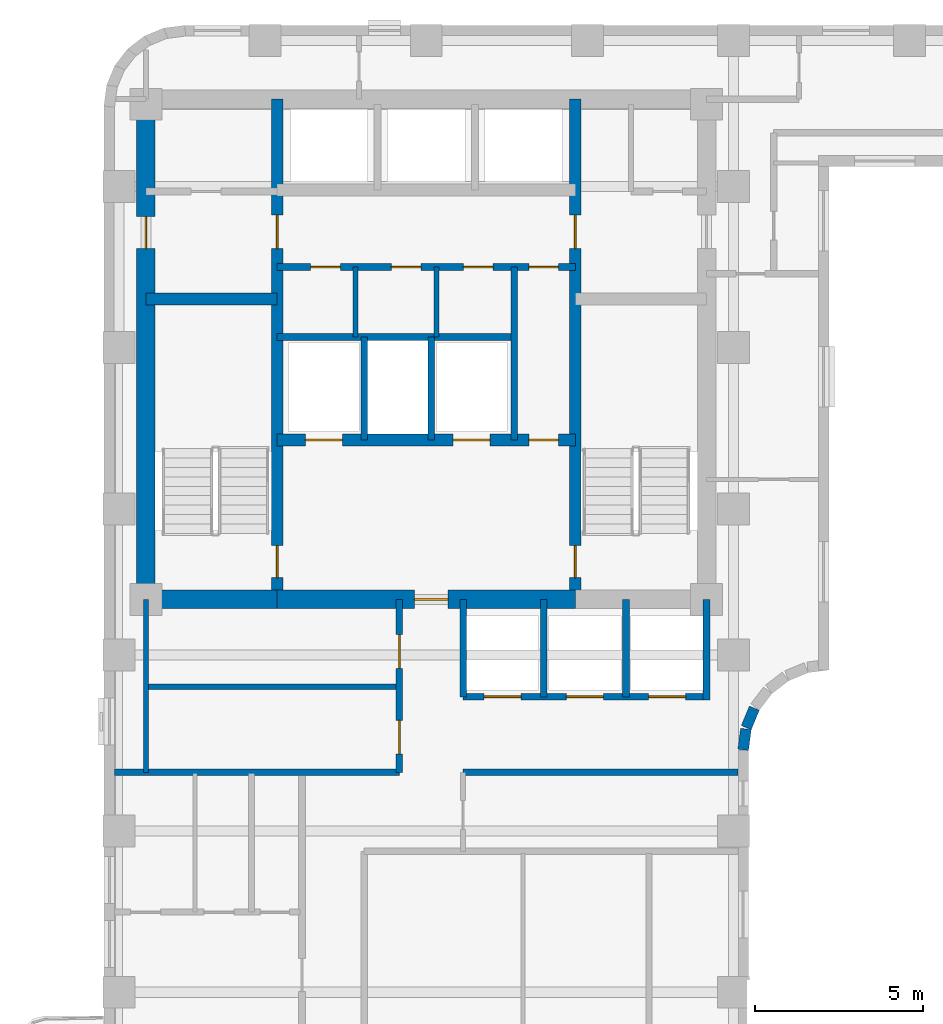
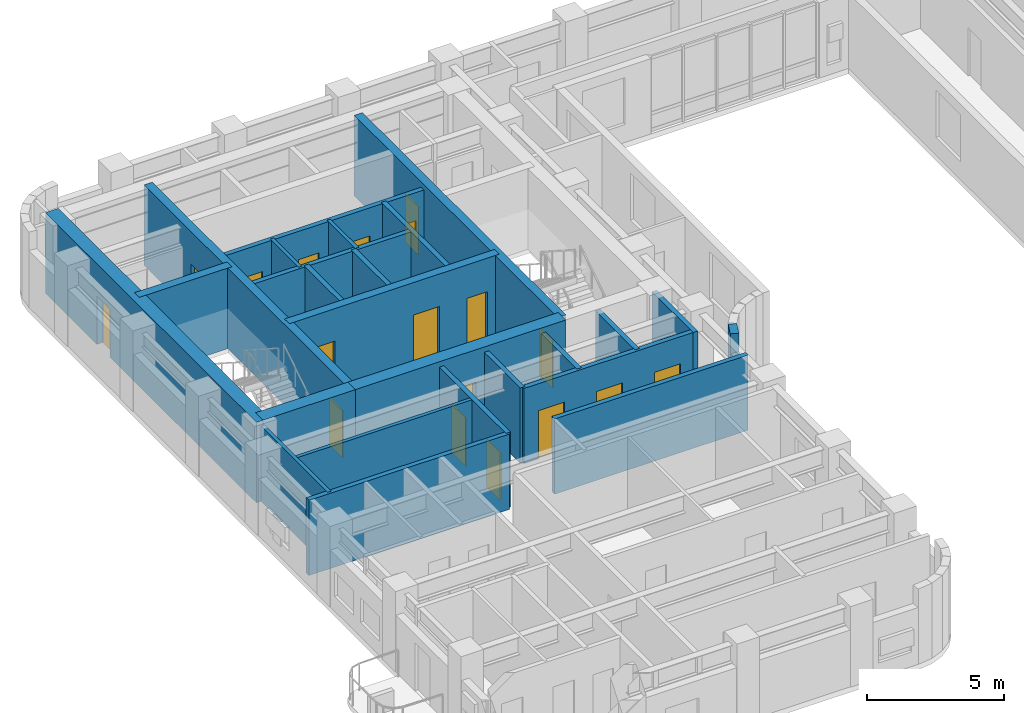
# One storey, part 5 of 11: 26 walls, 18 doors, 18 openings.
"""IFC4 building model written with IfcOpenShell, lengths in metres."""

import ifcopenshell
import ifcopenshell.guid

model = None  # the IFC model being written
_history = None  # IfcOwnerHistory: only IFC2X3 demands one
_inside = {}  # id of a spatial element -> (the spatial element, [elements in it])
_under = {}  # id of a project, library or spatial element -> (it, [spatial elements below it])
_declared = {}  # id of a project -> (the project, [libraries it declares])
_typed = {}  # id of a type object -> (the type object, [elements of that type])
_made_of = {}  # id of a material, layer set ... -> (it, [elements and type objects made of it])


def new_model(schema):
    """Start an empty IFC model of exactly this schema.

    Asked for "IFC4X3", IfcOpenShell would pick the latest addendum, in which some entities
    have other attributes; the version numbers below select the first issue.
    IFC2X3 requires an IfcOwnerHistory on every rooted entity: one is made here for all.
    """
    global model, _history
    if schema == "IFC4X3":
        model = ifcopenshell.file(schema_version=(4, 3, 0, 0))
    else:
        model = ifcopenshell.file(schema=schema)
    _inside.clear()
    _under.clear()
    _declared.clear()
    _typed.clear()
    _made_of.clear()
    _history = None
    if model.schema == "IFC2X3":
        org = make("IfcOrganization", Name="unknown")
        user = make(
            "IfcPersonAndOrganization",
            ThePerson=make("IfcPerson", FamilyName="unknown"),
            TheOrganization=org,
        )
        app = make(
            "IfcApplication",
            ApplicationDeveloper=org,
            Version="unknown",
            ApplicationFullName="unknown",
            ApplicationIdentifier="unknown",
        )
        _history = make(
            "IfcOwnerHistory",
            OwningUser=user,
            OwningApplication=app,
            ChangeAction="ADDED",
            CreationDate=0,
        )
    return model


def make(cls, **values):
    """One entity of the class cls with the attributes given. An attribute that is None is left unset."""
    return model.create_entity(
        cls, **{name: value for name, value in values.items() if value is not None}
    )


def rooted(cls, **values):
    """An entity with a GlobalId (a new one), such as an element, a storey or a relation."""
    return make(cls, GlobalId=ifcopenshell.guid.new(), OwnerHistory=_history, **values)


def si_unit(unit_type, name, prefix=None):
    """IfcSIUnit, for example si_unit("LENGTHUNIT", "METRE", prefix="MILLI")."""
    return make("IfcSIUnit", UnitType=unit_type, Prefix=prefix, Name=name)


def assignment(units):
    """IfcUnitAssignment: the units of a project."""
    return None if units is None else make("IfcUnitAssignment", Units=units)


def point(xyz):
    """IfcCartesianPoint."""
    return None if xyz is None else make("IfcCartesianPoint", Coordinates=xyz)


def direction(xyz):
    """IfcDirection."""
    return None if xyz is None else make("IfcDirection", DirectionRatios=xyz)


def frame(location, z_axis=None, x_axis=None):
    """IfcAxis2Placement3D, a coordinate frame: its origin and axes. An axis left out is left unset."""
    return make(
        "IfcAxis2Placement3D",
        Location=point(location),
        Axis=direction(z_axis),
        RefDirection=direction(x_axis),
    )


def frame_2d(location, x_axis=None):
    """IfcAxis2Placement2D, a coordinate frame in the plane: its origin and x axis."""
    return make(
        "IfcAxis2Placement2D", Location=point(location), RefDirection=direction(x_axis)
    )


def origin():
    """The frame at (0, 0, 0) with its axes left unset."""
    return frame((0.0, 0.0, 0.0))


def place(relative_to, where):
    """IfcLocalPlacement: puts the frame where relative to a parent placement (None: the world)."""
    return make(
        "IfcLocalPlacement", PlacementRelTo=relative_to, RelativePlacement=where
    )


def context(
    kind, dimensions, precision=None, world=None, true_north=None, identifier=None
):
    """IfcGeometricRepresentationContext, for example the 3D "Model" context."""
    return make(
        "IfcGeometricRepresentationContext",
        ContextIdentifier=identifier,
        ContextType=kind,
        CoordinateSpaceDimension=dimensions,
        Precision=precision,
        WorldCoordinateSystem=world,
        TrueNorth=true_north,
    )


def subcontext(parent, identifier, kind, view, scale=None):
    """IfcGeometricRepresentationSubContext, for example "Body" below "Model"."""
    return make(
        "IfcGeometricRepresentationSubContext",
        ContextIdentifier=identifier,
        ContextType=kind,
        ParentContext=parent,
        TargetScale=scale,
        TargetView=view,
    )


def project(units=None, contexts=None):
    """IfcProject with its units and contexts."""
    return rooted(
        "IfcProject",
        Name="project",
        RepresentationContexts=contexts,
        UnitsInContext=assignment(units),
    )


def spatial(cls, under=None, at=None, **own):
    """A site, building, storey or space (cls), placed at a placement, below another one or the project."""
    s = rooted(cls, ObjectPlacement=at, **own)
    if under is not None:
        _under.setdefault(under.id(), (under, []))[1].append(s)
    return s


def profile(cls, at=None, kind="AREA", **sizes):
    """A parametric profile (cls). Its sizes go by their IFC names, for example OverallWidth=200.0."""
    return make(cls, ProfileType=kind, Position=at, **sizes)


def rectangle(**sizes):
    """IfcRectangleProfileDef."""
    return profile("IfcRectangleProfileDef", **sizes)


def extrude(swept, where, along, depth):
    """IfcExtrudedAreaSolid: the profile swept, set in the frame where, extruded along a direction by depth."""
    return make(
        "IfcExtrudedAreaSolid",
        SweptArea=swept,
        Position=where,
        ExtrudedDirection=direction(along),
        Depth=depth,
    )


def shape(context_of_items, identifier, shape_type, items):
    """IfcShapeRepresentation: the items that make up one representation, for example the "Body"."""
    return make(
        "IfcShapeRepresentation",
        ContextOfItems=context_of_items,
        RepresentationIdentifier=identifier,
        RepresentationType=shape_type,
        Items=items,
    )


def material(Name=None, Category=None):
    """IfcMaterial."""
    return make("IfcMaterial", Name=Name, Category=Category)


def layer(
    of_material, thickness, ventilated=None, Name=None, Category=None, Priority=None
):
    """IfcMaterialLayer: one layer of a wall or slab, of a material (None: an air gap)."""
    return make(
        "IfcMaterialLayer",
        Material=of_material,
        LayerThickness=thickness,
        IsVentilated=ventilated,
        Name=Name,
        Category=Category,
        Priority=Priority,
    )


def layer_set(layers, Name=None):
    """IfcMaterialLayerSet."""
    return make("IfcMaterialLayerSet", MaterialLayers=layers, LayerSetName=Name)


def made_of(thing, what):
    """Note that an element or type object is made of a material, layer set ...; save() writes the relation."""
    if what is not None:
        _made_of.setdefault(what.id(), (what, []))[1].append(thing)
    return thing


def type_object(cls, material=None, **own):
    """A type object (cls), such as IfcWallType, which elements share."""
    return made_of(rooted(cls, **own), material)


def element(
    cls,
    number,
    at=None,
    inside=None,
    cuts=None,
    type_object=None,
    material=None,
    context=None,
    identifier="Body",
    shape_type=None,
    held_by="IfcProductDefinitionShape",
    body=None,
    shapes=None,
    **own,
):
    """One element of the class cls, such as IfcWall. Its Tag is "e" and its number.

    at: its placement. inside: the storey or other place that contains it. cuts: it is an
    opening in that element (IfcRelVoidsElement). A single representation is given by context,
    identifier, shape_type and body (its items); several are given by shapes. held_by: the class
    of the entity that holds the representations. save() writes the other relations.
    """
    e = rooted(cls, Tag="e%d" % number, ObjectPlacement=at, **own)
    if body is not None:
        shapes = [shape(context, identifier, shape_type, body)]
    if shapes is not None:
        e.Representation = make(held_by, Representations=shapes)
    if inside is not None:
        _inside.setdefault(inside.id(), (inside, []))[1].append(e)
    if cuts is not None:
        rooted(
            "IfcRelVoidsElement", RelatingBuildingElement=cuts, RelatedOpeningElement=e
        )
    if type_object is not None:
        _typed.setdefault(type_object.id(), (type_object, []))[1].append(e)
    return made_of(e, material)


def fill(opening, filler):
    """IfcRelFillsElement: the door or window that sits in an opening."""
    return rooted(
        "IfcRelFillsElement",
        RelatingOpeningElement=opening,
        RelatedBuildingElement=filler,
    )


def aggregate(whole, parts):
    """IfcRelAggregates: a whole, such as a stair, and the parts it consists of."""
    return rooted("IfcRelAggregates", RelatingObject=whole, RelatedObjects=parts)


def save(model, path):
    """Write the relations noted so far, then the file.

    IfcRelAggregates (storeys below a building ...), IfcRelContainedInSpatialStructure (elements
    in a storey), IfcRelDefinesByType, IfcRelAssociatesMaterial and IfcRelDeclares: one each for
    every whole, place, type object, material and project.
    """
    for whole, parts in _under.values():
        aggregate(whole, parts)
    for where, things in _inside.values():
        rooted(
            "IfcRelContainedInSpatialStructure",
            RelatedElements=things,
            RelatingStructure=where,
        )
    for kind, things in _typed.values():
        rooted("IfcRelDefinesByType", RelatedObjects=things, RelatingType=kind)
    for what, things in _made_of.values():
        rooted("IfcRelAssociatesMaterial", RelatedObjects=things, RelatingMaterial=what)
    for by, libraries in _declared.values():
        rooted("IfcRelDeclares", RelatingContext=by, RelatedDefinitions=libraries)
    model.write(path)


model = new_model("IFC4")

# Units and contexts
model_context = context("Model", 3, precision=1e-05, world=origin(), true_north=direction((0.0, 1.0)))
body_context = subcontext(model_context, "Body", "Model", "MODEL_VIEW")
ifc_project = project(units=[si_unit("LENGTHUNIT", "METRE"), si_unit("AREAUNIT", "SQUARE_METRE"), si_unit("VOLUMEUNIT", "CUBIC_METRE"), si_unit("PLANEANGLEUNIT", "RADIAN"), si_unit("MASSUNIT", "GRAM", prefix="KILO")], contexts=[model_context])

# Site, building, storey
site_placement = place(None, origin())
site = spatial("IfcSite", under=ifc_project, at=site_placement, CompositionType="ELEMENT")
building_placement = place(site_placement, origin())
building = spatial("IfcBuilding", under=site, at=building_placement, Name="Orvandelia Arch Residences", CompositionType="ELEMENT")
storey_placement = place(building_placement, frame((0.0, 0.0, 175.60009765625)))
storey = spatial("IfcBuildingStorey", under=building, at=storey_placement, Name="L46", CompositionType="ELEMENT", Elevation=175.60009765625)

# Wall, openings, doors
ifc_material_1 = material(Name="Concrete C50/60", Category="concrete")
ifc_layer_1 = layer(ifc_material_1, 0.35009765625, Name="Concrete C50/60", Category="concrete")
ifc_layer_set_1 = layer_set([ifc_layer_1], Name="Concrete C50/60")
wall_type_1 = type_object("IfcWallType", Name="WL-CORE-350", PredefinedType="SHEAR", material=ifc_layer_set_1)
wall_1_placement = place(storey_placement, frame((9.9599609375, 30.89990234375, 0.0), z_axis=(0.0, 0.0, 1.0), x_axis=(0.0, 1.0, 0.0)))
wall_1 = element("IfcWall", 1, at=wall_1_placement, inside=storey, type_object=wall_type_1, Name="Core Shear Wall L46-WEB1", PredefinedType="SHEAR", context=body_context, shape_type="SweptSolid", body=[
    extrude(rectangle(XDim=14.900146484375, YDim=0.35009765625, at=frame_2d((7.4501953125, 0.0))), origin(), (0.0, 0.0, 1.0), 3.599853515625),
])
opening_1_placement = place(wall_1_placement, frame((0.64990234375, 0.0, 0.0)))
opening_1 = element("IfcOpeningElement", 2, at=opening_1_placement, cuts=wall_1, Name="Opening D7", PredefinedType="OPENING", context=body_context, shape_type="SweptSolid", body=[
    extrude(rectangle(XDim=0.949951171875, YDim=2.10009765625, at=frame_2d((0.47509765625, 1.050048828125))), frame((0.0, 0.18505859375, 0.0), z_axis=(0.0, -1.0, 0.0), x_axis=(1.0, 0.0, 0.0)), (0.0, 0.0, 1.0), 0.3701171875),
])
opening_2_placement = place(wall_1_placement, frame((10.449951171875, 0.0, 0.0)))
opening_2 = element("IfcOpeningElement", 3, at=opening_2_placement, cuts=wall_1, Name="Opening D6", PredefinedType="OPENING", context=body_context, shape_type="SweptSolid", body=[
    extrude(rectangle(XDim=1.0, YDim=2.14990234375, at=frame_2d((0.5, 1.074951171875))), frame((0.0, 0.18505859375, 0.0), z_axis=(0.0, -1.0, 0.0), x_axis=(1.0, 0.0, 0.0)), (0.0, 0.0, 1.0), 0.3701171875),
])
ifc_material_2 = material(Name="Smokeproof Painted Steel Fire Door", Category="steel")
door_type_1 = type_object("IfcDoorType", Name="DR-FD60-1000", OperationType="NOTDEFINED", PredefinedType="DOOR", material=ifc_material_2)
door_1_placement = place(opening_2_placement, origin())
door_1 = element("IfcDoor", 4, at=door_1_placement, inside=storey, type_object=door_type_1, Name="High-Rise Lift Hall West Vestibule Door L46", OperationType="SINGLE_SWING_LEFT", OverallHeight=2.14990234375, OverallWidth=1.0, PredefinedType="DOOR", context=body_context, shape_type="SweptSolid", body=[
    extrude(rectangle(XDim=1.0, YDim=2.14990234375, at=frame_2d((0.5, 1.074951171875))), frame((0.0, 0.02490234375, 0.0), z_axis=(0.0, -1.0, 0.0), x_axis=(1.0, 0.0, 0.0)), (0.0, 0.0, 1.0), 0.050048828125),
])
fill(opening_2, door_1)
ifc_material_3 = material(Name="Pressurised Stairwell Fire Door")
door_type_2 = type_object("IfcDoorType", Name="DR-STAIR-950", OperationType="NOTDEFINED", PredefinedType="DOOR", material=ifc_material_3)
door_2_placement = place(opening_1_placement, origin())
door_2 = element("IfcDoor", 5, at=door_2_placement, inside=storey, type_object=door_type_2, Name="Stairwell ST-1 Fire Door L46", OperationType="SINGLE_SWING_LEFT", OverallHeight=2.10009765625, OverallWidth=0.949951171875, PredefinedType="DOOR", context=body_context, shape_type="SweptSolid", body=[
    extrude(rectangle(XDim=0.949951171875, YDim=2.10009765625, at=frame_2d((0.47509765625, 1.050048828125))), frame((0.0, 0.02490234375, 0.0), z_axis=(0.0, -1.0, 0.0), x_axis=(1.0, 0.0, 0.0)), (0.0, 0.0, 1.0), 0.050048828125),
])
fill(opening_1, door_2)

wall_2_placement = place(storey_placement, frame((18.840087890625, 30.89990234375, 0.0), z_axis=(0.0, 0.0, 1.0), x_axis=(0.0, 1.0, 0.0)))
wall_2 = element("IfcWall", 6, at=wall_2_placement, inside=storey, type_object=wall_type_1, Name="Core Shear Wall L46-WEB2", PredefinedType="SHEAR", context=body_context, shape_type="SweptSolid", body=[
    extrude(rectangle(XDim=14.900146484375, YDim=0.35009765625, at=frame_2d((7.4501953125, 0.0))), origin(), (0.0, 0.0, 1.0), 3.599853515625),
])
opening_3_placement = place(wall_2_placement, frame((0.64990234375, 0.0, 0.0)))
opening_3 = element("IfcOpeningElement", 7, at=opening_3_placement, cuts=wall_2, Name="Opening D7", PredefinedType="OPENING", context=body_context, shape_type="SweptSolid", body=[
    extrude(rectangle(XDim=0.949951171875, YDim=2.10009765625, at=frame_2d((0.47509765625, 1.050048828125))), frame((0.0, 0.18505859375, 0.0), z_axis=(0.0, -1.0, 0.0), x_axis=(1.0, 0.0, 0.0)), (0.0, 0.0, 1.0), 0.3701171875),
])
opening_4_placement = place(wall_2_placement, frame((10.449951171875, 0.0, 0.0)))
opening_4 = element("IfcOpeningElement", 8, at=opening_4_placement, cuts=wall_2, Name="Opening D6", PredefinedType="OPENING", context=body_context, shape_type="SweptSolid", body=[
    extrude(rectangle(XDim=1.0, YDim=2.14990234375, at=frame_2d((0.5, 1.074951171875))), frame((0.0, 0.18505859375, 0.0), z_axis=(0.0, -1.0, 0.0), x_axis=(1.0, 0.0, 0.0)), (0.0, 0.0, 1.0), 0.3701171875),
])
door_3_placement = place(opening_4_placement, origin())
door_3 = element("IfcDoor", 9, at=door_3_placement, inside=storey, type_object=door_type_1, Name="High-Rise Lift Hall East Vestibule Door L46", OperationType="SINGLE_SWING_RIGHT", OverallHeight=2.14990234375, OverallWidth=1.0, PredefinedType="DOOR", context=body_context, shape_type="SweptSolid", body=[
    extrude(rectangle(XDim=1.0, YDim=2.14990234375, at=frame_2d((0.5, 1.074951171875))), frame((0.0, 0.02490234375, 0.0), z_axis=(0.0, -1.0, 0.0), x_axis=(1.0, 0.0, 0.0)), (0.0, 0.0, 1.0), 0.050048828125),
])
fill(opening_4, door_3)
door_4_placement = place(opening_3_placement, origin())
door_4 = element("IfcDoor", 10, at=door_4_placement, inside=storey, type_object=door_type_2, Name="Stairwell ST-2 Fire Door L46", OperationType="SINGLE_SWING_RIGHT", OverallHeight=2.10009765625, OverallWidth=0.949951171875, PredefinedType="DOOR", context=body_context, shape_type="SweptSolid", body=[
    extrude(rectangle(XDim=0.949951171875, YDim=2.10009765625, at=frame_2d((0.47509765625, 1.050048828125))), frame((0.0, 0.02490234375, 0.0), z_axis=(0.0, -1.0, 0.0), x_axis=(1.0, 0.0, 0.0)), (0.0, 0.0, 1.0), 0.050048828125),
])
fill(opening_3, door_4)

# Wall
wall_3_placement = place(storey_placement, frame((6.050048828125, 39.85009765625, 0.0), z_axis=(0.0, 0.0, 1.0), x_axis=(1.0, 0.0, 0.0)))
element("IfcWall", 11, at=wall_3_placement, inside=storey, type_object=wall_type_1, Name="Core Shear Wall L46-HZ1", PredefinedType="SHEAR", context=body_context, shape_type="SweptSolid", body=[
    extrude(rectangle(XDim=3.909912109375, YDim=0.35009765625, at=frame_2d((1.955078125, 0.0))), origin(), (0.0, 0.0, 1.0), 3.599853515625),
])

# Wall, openings, doors
wall_4_placement = place(storey_placement, frame((9.9599609375, 35.64990234375, 0.0), z_axis=(0.0, 0.0, 1.0), x_axis=(1.0, 0.0, 0.0)))
wall_4 = element("IfcWall", 12, at=wall_4_placement, inside=storey, type_object=wall_type_1, Name="Core Shear Wall L46-HZ3", PredefinedType="SHEAR", context=body_context, shape_type="SweptSolid", body=[
    extrude(rectangle(XDim=8.880126953125, YDim=0.35009765625, at=frame_2d((4.43994140625, 0.0))), origin(), (0.0, 0.0, 1.0), 3.599853515625),
])
opening_5_placement = place(wall_4_placement, frame((0.840087890625, 0.0, 0.0)))
opening_5 = element("IfcOpeningElement", 13, at=opening_5_placement, cuts=wall_4, Name="Opening FLD", PredefinedType="OPENING", context=body_context, shape_type="SweptSolid", body=[
    extrude(rectangle(XDim=1.10009765625, YDim=2.14990234375, at=frame_2d((0.550048828125, 1.074951171875))), frame((0.0, 0.18505859375, 0.0), z_axis=(0.0, -1.0, 0.0), x_axis=(1.0, 0.0, 0.0)), (0.0, 0.0, 1.0), 0.3701171875),
])
opening_6_placement = place(wall_4_placement, frame((5.239990234375, 0.0, 0.0)))
opening_6 = element("IfcOpeningElement", 14, at=opening_6_placement, cuts=wall_4, Name="Opening FLD", PredefinedType="OPENING", context=body_context, shape_type="SweptSolid", body=[
    extrude(rectangle(XDim=1.10009765625, YDim=2.14990234375, at=frame_2d((0.550048828125, 1.074951171875))), frame((0.0, 0.18505859375, 0.0), z_axis=(0.0, -1.0, 0.0), x_axis=(1.0, 0.0, 0.0)), (0.0, 0.0, 1.0), 0.3701171875),
])
opening_7_placement = place(wall_4_placement, frame((7.5, 0.0, 0.0)))
opening_7 = element("IfcOpeningElement", 15, at=opening_7_placement, cuts=wall_4, Name="Opening D5", PredefinedType="OPENING", context=body_context, shape_type="SweptSolid", body=[
    extrude(rectangle(XDim=0.8798828125, YDim=2.10009765625, at=frame_2d((0.43994140625, 1.050048828125))), frame((0.0, 0.18505859375, 0.0), z_axis=(0.0, -1.0, 0.0), x_axis=(1.0, 0.0, 0.0)), (0.0, 0.0, 1.0), 0.3701171875),
])
ifc_material_4 = material(Name="Firefighting Lift Stainless Sliding Door")
door_type_3 = type_object("IfcDoorType", Name="DR-FLFT-1100", OperationType="NOTDEFINED", PredefinedType="DOOR", material=ifc_material_4)
door_5_placement = place(opening_5_placement, origin())
door_5 = element("IfcDoor", 16, at=door_5_placement, inside=storey, type_object=door_type_3, Name="Firefighting Lift Landing Door FLD-FL1-L46", OperationType="SLIDING_TO_LEFT", OverallHeight=2.14990234375, OverallWidth=1.10009765625, PredefinedType="DOOR", context=body_context, shape_type="SweptSolid", body=[
    extrude(rectangle(XDim=1.10009765625, YDim=2.14990234375, at=frame_2d((0.550048828125, 1.074951171875))), frame((0.0, 0.02490234375, 0.0), z_axis=(0.0, -1.0, 0.0), x_axis=(1.0, 0.0, 0.0)), (0.0, 0.0, 1.0), 0.050048828125),
])
fill(opening_5, door_5)
door_6_placement = place(opening_6_placement, origin())
door_6 = element("IfcDoor", 17, at=door_6_placement, inside=storey, type_object=door_type_3, Name="Firefighting Lift Landing Door FLD-FL2-L46", OperationType="SLIDING_TO_RIGHT", OverallHeight=2.14990234375, OverallWidth=1.10009765625, PredefinedType="DOOR", context=body_context, shape_type="SweptSolid", body=[
    extrude(rectangle(XDim=1.10009765625, YDim=2.14990234375, at=frame_2d((0.550048828125, 1.074951171875))), frame((0.0, 0.02490234375, 0.0), z_axis=(0.0, -1.0, 0.0), x_axis=(1.0, 0.0, 0.0)), (0.0, 0.0, 1.0), 0.050048828125),
])
fill(opening_6, door_6)
ifc_material_5 = material(Name="Painted Galvanised Steel Service Door", Category="steel")
door_type_4 = type_object("IfcDoorType", Name="DR-SRV-880", OperationType="NOTDEFINED", PredefinedType="DOOR", material=ifc_material_5)
door_7_placement = place(opening_7_placement, origin())
door_7 = element("IfcDoor", 18, at=door_7_placement, inside=storey, type_object=door_type_4, Name="Core Stairway Passage South Fire Door L46", OperationType="SINGLE_SWING_LEFT", OverallHeight=2.10009765625, OverallWidth=0.8798828125, PredefinedType="DOOR", context=body_context, shape_type="SweptSolid", body=[
    extrude(rectangle(XDim=0.8798828125, YDim=2.10009765625, at=frame_2d((0.43994140625, 1.050048828125))), frame((0.0, 0.02490234375, 0.0), z_axis=(0.0, -1.0, 0.0), x_axis=(1.0, 0.0, 0.0)), (0.0, 0.0, 1.0), 0.050048828125),
])
fill(opening_7, door_7)

# Wall, opening, door
ifc_material_6 = material(Name="Concrete C60/75", Category="concrete")
ifc_layer_2 = layer(ifc_material_6, 0.550048828125, Name="Concrete C60/75", Category="concrete")
ifc_layer_set_2 = layer_set([ifc_layer_2], Name="Concrete C60/75")
wall_type_2 = type_object("IfcWallType", Name="WL-CORE-550", PredefinedType="SHEAR", material=ifc_layer_set_2)
wall_5_placement = place(storey_placement, frame((6.050048828125, 30.625, 0.0), z_axis=(0.0, 0.0, 1.0), x_axis=(0.0, 1.0, 0.0)))
wall_5 = element("IfcWall", 19, at=wall_5_placement, inside=storey, type_object=wall_type_2, Name="Core Shear Wall L46-W", PredefinedType="SHEAR", context=body_context, shape_type="SweptSolid", body=[
    extrude(rectangle(XDim=15.449951171875, YDim=0.550048828125, at=frame_2d((7.72509765625, 0.0))), origin(), (0.0, 0.0, 1.0), 3.599853515625),
])
opening_8_placement = place(wall_5_placement, frame((10.72509765625, 0.0, 0.0)))
opening_8 = element("IfcOpeningElement", 20, at=opening_8_placement, cuts=wall_5, Name="Opening D2", PredefinedType="OPENING", context=body_context, shape_type="SweptSolid", body=[
    extrude(rectangle(XDim=0.949951171875, YDim=2.14990234375, at=frame_2d((0.47509765625, 1.074951171875))), frame((0.0, 0.28515625, 0.0), z_axis=(0.0, -1.0, 0.0), x_axis=(1.0, 0.0, 0.0)), (0.0, 0.0, 1.0), 0.570068359375),
])
ifc_material_7 = material(Name="Solid-Core Timber Interior Fire Door", Category="wood")
door_type_5 = type_object("IfcDoorType", Name="DR-APT-950", OperationType="NOTDEFINED", PredefinedType="DOOR", material=ifc_material_7)
door_8_placement = place(opening_8_placement, origin())
door_8 = element("IfcDoor", 21, at=door_8_placement, inside=storey, type_object=door_type_5, Name="West Viewing Study Door L46", OperationType="SINGLE_SWING_RIGHT", OverallHeight=2.14990234375, OverallWidth=0.949951171875, PredefinedType="DOOR", context=body_context, shape_type="SweptSolid", body=[
    extrude(rectangle(XDim=0.949951171875, YDim=2.14990234375, at=frame_2d((0.47509765625, 1.074951171875))), frame((0.0, 0.02490234375, 0.0), z_axis=(0.0, -1.0, 0.0), x_axis=(1.0, 0.0, 0.0)), (0.0, 0.0, 1.0), 0.050048828125),
])
fill(opening_8, door_8)

# Wall
wall_6_placement = place(storey_placement, frame((6.050048828125, 30.89990234375, 0.0), z_axis=(0.0, 0.0, 1.0), x_axis=(1.0, 0.0, 0.0)))
element("IfcWall", 22, at=wall_6_placement, inside=storey, type_object=wall_type_2, Name="Core Shear Wall L46-SW", PredefinedType="SHEAR", context=body_context, shape_type="SweptSolid", body=[
    extrude(rectangle(XDim=3.909912109375, YDim=0.550048828125, at=frame_2d((1.955078125, 0.0))), origin(), (0.0, 0.0, 1.0), 3.599853515625),
])

# Wall, opening, door
wall_7_placement = place(storey_placement, frame((9.9599609375, 30.89990234375, 0.0), z_axis=(0.0, 0.0, 1.0), x_axis=(1.0, 0.0, 0.0)))
wall_7 = element("IfcWall", 23, at=wall_7_placement, inside=storey, type_object=wall_type_2, Name="Core Shear Wall L46-SM", PredefinedType="SHEAR", context=body_context, shape_type="SweptSolid", body=[
    extrude(rectangle(XDim=8.880126953125, YDim=0.550048828125, at=frame_2d((4.43994140625, 0.0))), origin(), (0.0, 0.0, 1.0), 3.599853515625),
])
opening_9_placement = place(wall_7_placement, frame((4.090087890625, 0.0, 0.0)))
opening_9 = element("IfcOpeningElement", 24, at=opening_9_placement, cuts=wall_7, Name="Opening D6", PredefinedType="OPENING", context=body_context, shape_type="SweptSolid", body=[
    extrude(rectangle(XDim=1.0, YDim=2.14990234375, at=frame_2d((0.5, 1.074951171875))), frame((0.0, 0.28515625, 0.0), z_axis=(0.0, -1.0, 0.0), x_axis=(1.0, 0.0, 0.0)), (0.0, 0.0, 1.0), 0.570068359375),
])
door_9_placement = place(opening_9_placement, origin())
door_9 = element("IfcDoor", 25, at=door_9_placement, inside=storey, type_object=door_type_1, Name="Firefighting Lobby Smokeproof Door L46", OperationType="SINGLE_SWING_LEFT", OverallHeight=2.14990234375, OverallWidth=1.0, PredefinedType="DOOR", context=body_context, shape_type="SweptSolid", body=[
    extrude(rectangle(XDim=1.0, YDim=2.14990234375, at=frame_2d((0.5, 1.074951171875))), frame((0.0, 0.02490234375, 0.0), z_axis=(0.0, -1.0, 0.0), x_axis=(1.0, 0.0, 0.0)), (0.0, 0.0, 1.0), 0.050048828125),
])
fill(opening_9, door_9)

# Walls
ifc_material_8 = material(Name="Fire-Rated Corridor Partition")
ifc_layer_3 = layer(ifc_material_8, 0.199951171875, Name="Fire-Rated Corridor Partition")
ifc_layer_set_3 = layer_set([ifc_layer_3], Name="Fire-Rated Corridor Partition")
wall_type_3 = type_object("IfcWallType", Name="WL-CORR-200", PredefinedType="PARTITIONING", material=ifc_layer_set_3)
wall_8_placement = place(storey_placement, frame((5.1201171875, 25.75, 0.0), z_axis=(0.0, 0.0, 1.0), x_axis=(1.0, 0.0, 0.0)))
element("IfcWall", 26, at=wall_8_placement, inside=storey, type_object=wall_type_3, Name="Interior Partition Wall WL-L46-WLNK-N", PredefinedType="PARTITIONING", context=body_context, shape_type="SweptSolid", body=[
    extrude(rectangle(XDim=8.47998046875, YDim=0.199951171875, at=frame_2d((4.239990234375, 0.0))), origin(), (0.0, 0.0, 1.0), 3.35986328125),
])
wall_9_placement = place(storey_placement, frame((15.5, 25.75, 0.0), z_axis=(0.0, 0.0, 1.0), x_axis=(1.0, 0.0, 0.0)))
element("IfcWall", 27, at=wall_9_placement, inside=storey, type_object=wall_type_3, Name="Interior Partition Wall WL-L46-WLNK-NE2", PredefinedType="PARTITIONING", context=body_context, shape_type="SweptSolid", body=[
    extrude(rectangle(XDim=8.179931640625, YDim=0.199951171875, at=frame_2d((4.08984375, 0.0))), origin(), (0.0, 0.0, 1.0), 3.35986328125),
])
ifc_material_9 = material(Name="Precast concrete C40/50", Category="concrete")
ifc_layer_4 = layer(ifc_material_9, 0.320068359375, Name="Precast concrete C40/50", Category="concrete")
ifc_layer_set_4 = layer_set([ifc_layer_4], Name="Precast concrete C40/50")
wall_type_4 = type_object("IfcWallType", Name="WL-EXT-STONE-320", PredefinedType="STANDARD", material=ifc_layer_set_4)
wall_10_placement = place(storey_placement, frame((24.173583984375, 27.6611328125, 0.0), z_axis=(0.0, 0.0, 1.0), x_axis=(-0.382455093999, -0.923974080304, 0.0)))
element("IfcWall", 28, at=wall_10_placement, inside=storey, type_object=wall_type_4, Name="Coral-Limestone Precast Facade Wall L46-030", PredefinedType="STANDARD", context=body_context, shape_type="SweptSolid", body=[
    extrude(rectangle(XDim=0.626220703125, YDim=0.320068359375, at=frame_2d((0.31298828125, 0.0))), origin(), (0.0, 0.0, 1.0), 3.35986328125),
])
wall_11_placement = place(storey_placement, frame((23.923095703125, 27.0419921875, 0.0), z_axis=(0.0, 0.0, 1.0), x_axis=(-0.130555323746, -0.9914410257, 0.0)))
element("IfcWall", 29, at=wall_11_placement, inside=storey, type_object=wall_type_4, Name="Coral-Limestone Precast Facade Wall L46-031", PredefinedType="STANDARD", context=body_context, shape_type="SweptSolid", body=[
    extrude(rectangle(XDim=0.62646484375, YDim=0.320068359375, at=frame_2d((0.313232421875, 0.0))), origin(), (0.0, 0.0, 1.0), 2.539794921875),
])
ifc_material_10 = material(Name="Acoustic Gypsum Stud Partition")
ifc_layer_5 = layer(ifc_material_10, 0.14990234375, Name="Acoustic Gypsum Stud Partition")
ifc_layer_set_5 = layer_set([ifc_layer_5], Name="Acoustic Gypsum Stud Partition")
wall_type_5 = type_object("IfcWallType", Name="WL-PART-150", PredefinedType="PARTITIONING", material=ifc_layer_set_5)
for number, where, z_axis, x_axis, name in (
    (30, (12.300048828125, 38.719970703125, 0.0), (0.0, 0.0, 1.0), (0.0, 1.0, 0.0), "Interior Partition Wall WL-L46-CSA-1"),
    (31, (14.699951171875, 38.719970703125, 0.0), (0.0, 0.0, 1.0), (0.0, 1.0, 0.0), "Interior Partition Wall WL-L46-CSA-2"),
):
    element("IfcWall", number, at=place(storey_placement, frame(where, z_axis=z_axis, x_axis=x_axis)), inside=storey, type_object=wall_type_5, Name=name, PredefinedType="PARTITIONING", context=body_context, shape_type="SweptSolid", body=[
        extrude(rectangle(XDim=2.080078125, YDim=0.14990234375, at=frame_2d((1.0400390625, 0.0))), origin(), (0.0, 0.0, 1.0), 3.35986328125),
    ])
wall_12_placement = place(storey_placement, frame((6.050048828125, 25.75, 0.0), z_axis=(0.0, 0.0, 1.0), x_axis=(0.0, 1.0, 0.0)))
element("IfcWall", 32, at=wall_12_placement, inside=storey, type_object=wall_type_5, Name="Interior Partition Wall WL-L46-B1REUSE-W", PredefinedType="PARTITIONING", context=body_context, shape_type="SweptSolid", body=[
    extrude(rectangle(XDim=5.14990234375, YDim=0.14990234375, at=frame_2d((2.574951171875, 0.0))), origin(), (0.0, 0.0, 1.0), 3.35986328125),
])
wall_13_placement = place(storey_placement, frame((6.050048828125, 28.300048828125, 0.0), z_axis=(0.0, 0.0, 1.0), x_axis=(1.0, 0.0, 0.0)))
element("IfcWall", 33, at=wall_13_placement, inside=storey, type_object=wall_type_5, Name="Interior Partition Wall WL-L46-B1R-H", PredefinedType="PARTITIONING", context=body_context, shape_type="SweptSolid", body=[
    extrude(rectangle(XDim=7.550048828125, YDim=0.14990234375, at=frame_2d((3.77490234375, 0.0))), origin(), (0.0, 0.0, 1.0), 3.35986328125),
])
ifc_material_11 = material(Name="Fire-Rated Shaft Enclosure Wall")
ifc_layer_6 = layer(ifc_material_11, 0.199951171875, Name="Fire-Rated Shaft Enclosure Wall")
ifc_layer_set_6 = layer_set([ifc_layer_6], Name="Fire-Rated Shaft Enclosure Wall")
wall_type_6 = type_object("IfcWallType", Name="WL-SHAFT-200", PredefinedType="POLYGONAL", material=ifc_layer_set_6)
wall_14_placement = place(storey_placement, frame((9.9599609375, 38.719970703125, 0.0), z_axis=(0.0, 0.0, 1.0), x_axis=(1.0, 0.0, 0.0)))
element("IfcWall", 34, at=wall_14_placement, inside=storey, type_object=wall_type_6, Name="Interior Partition Wall WL-L46-FLN", PredefinedType="POLYGONAL", context=body_context, shape_type="SweptSolid", body=[
    extrude(rectangle(XDim=7.06005859375, YDim=0.199951171875, at=frame_2d((3.530029296875, 0.0))), origin(), (0.0, 0.0, 1.0), 3.35986328125),
])
for number, where, z_axis, x_axis, name in (
    (35, (12.550048828125, 35.64990234375, 0.0), (0.0, 0.0, 1.0), (0.0, 1.0, 0.0), "Interior Partition Wall WL-L46-FLM1"),
    (36, (14.550048828125, 35.64990234375, 0.0), (0.0, 0.0, 1.0), (0.0, 1.0, 0.0), "Interior Partition Wall WL-L46-FLM2"),
):
    element("IfcWall", number, at=place(storey_placement, frame(where, z_axis=z_axis, x_axis=x_axis)), inside=storey, type_object=wall_type_6, Name=name, PredefinedType="POLYGONAL", context=body_context, shape_type="SweptSolid", body=[
        extrude(rectangle(XDim=3.070068359375, YDim=0.199951171875, at=frame_2d((1.53515625, 0.0))), origin(), (0.0, 0.0, 1.0), 3.35986328125),
    ])
wall_15_placement = place(storey_placement, frame((17.02001953125, 35.64990234375, 0.0), z_axis=(0.0, 0.0, 1.0), x_axis=(0.0, 1.0, 0.0)))
element("IfcWall", 37, at=wall_15_placement, inside=storey, type_object=wall_type_6, Name="Interior Partition Wall WL-L46-FLM3", PredefinedType="POLYGONAL", context=body_context, shape_type="SweptSolid", body=[
    extrude(rectangle(XDim=5.150146484375, YDim=0.199951171875, at=frame_2d((2.5751953125, 0.0))), origin(), (0.0, 0.0, 1.0), 3.35986328125),
])

# Wall, openings, doors
wall_16_placement = place(storey_placement, frame((9.9599609375, 40.800048828125, 0.0), z_axis=(0.0, 0.0, 1.0), x_axis=(1.0, 0.0, 0.0)))
wall_16 = element("IfcWall", 38, at=wall_16_placement, inside=storey, type_object=wall_type_6, Name="Interior Partition Wall WL-L46-HLH-S", PredefinedType="POLYGONAL", context=body_context, shape_type="SweptSolid", body=[
    extrude(rectangle(XDim=8.880126953125, YDim=0.199951171875, at=frame_2d((4.43994140625, 0.0))), origin(), (0.0, 0.0, 1.0), 3.35986328125),
])
opening_10_placement = place(wall_16_placement, frame((7.5, 0.0, 0.0)))
opening_10 = element("IfcOpeningElement", 39, at=opening_10_placement, cuts=wall_16, Name="Opening D5", PredefinedType="OPENING", context=body_context, shape_type="SweptSolid", body=[
    extrude(rectangle(XDim=0.8798828125, YDim=2.10009765625, at=frame_2d((0.43994140625, 1.050048828125))), frame((0.0, 0.10986328125, 0.0), z_axis=(0.0, -1.0, 0.0), x_axis=(1.0, 0.0, 0.0)), (0.0, 0.0, 1.0), 0.219970703125),
])
opening_11_placement = place(wall_16_placement, frame((1.0, 0.0, 0.0)))
opening_11 = element("IfcOpeningElement", 40, at=opening_11_placement, cuts=wall_16, Name="Opening D5", PredefinedType="OPENING", context=body_context, shape_type="SweptSolid", body=[
    extrude(rectangle(XDim=0.8798828125, YDim=2.10009765625, at=frame_2d((0.43994140625, 1.050048828125))), frame((0.0, 0.10986328125, 0.0), z_axis=(0.0, -1.0, 0.0), x_axis=(1.0, 0.0, 0.0)), (0.0, 0.0, 1.0), 0.219970703125),
])
opening_12_placement = place(wall_16_placement, frame((3.39990234375, 0.0, 0.0)))
opening_12 = element("IfcOpeningElement", 41, at=opening_12_placement, cuts=wall_16, Name="Opening D5", PredefinedType="OPENING", context=body_context, shape_type="SweptSolid", body=[
    extrude(rectangle(XDim=0.8798828125, YDim=2.10009765625, at=frame_2d((0.43994140625, 1.050048828125))), frame((0.0, 0.10986328125, 0.0), z_axis=(0.0, -1.0, 0.0), x_axis=(1.0, 0.0, 0.0)), (0.0, 0.0, 1.0), 0.219970703125),
])
opening_13_placement = place(wall_16_placement, frame((5.550048828125, 0.0, 0.0)))
opening_13 = element("IfcOpeningElement", 42, at=opening_13_placement, cuts=wall_16, Name="Opening D5", PredefinedType="OPENING", context=body_context, shape_type="SweptSolid", body=[
    extrude(rectangle(XDim=0.8798828125, YDim=2.10009765625, at=frame_2d((0.43994140625, 1.050048828125))), frame((0.0, 0.10986328125, 0.0), z_axis=(0.0, -1.0, 0.0), x_axis=(1.0, 0.0, 0.0)), (0.0, 0.0, 1.0), 0.219970703125),
])
door_10_placement = place(opening_10_placement, origin())
door_10 = element("IfcDoor", 43, at=door_10_placement, inside=storey, type_object=door_type_4, Name="Core Stairway Passage North Fire Door L46", OperationType="SINGLE_SWING_RIGHT", OverallHeight=2.10009765625, OverallWidth=0.8798828125, PredefinedType="DOOR", context=body_context, shape_type="SweptSolid", body=[
    extrude(rectangle(XDim=0.8798828125, YDim=2.10009765625, at=frame_2d((0.43994140625, 1.050048828125))), frame((0.0, 0.02490234375, 0.0), z_axis=(0.0, -1.0, 0.0), x_axis=(1.0, 0.0, 0.0)), (0.0, 0.0, 1.0), 0.050048828125),
])
fill(opening_10, door_10)
door_11_placement = place(opening_11_placement, origin())
door_11 = element("IfcDoor", 44, at=door_11_placement, inside=storey, type_object=door_type_4, Name="DR-L46-CSA1", OperationType="SINGLE_SWING_LEFT", OverallHeight=2.10009765625, OverallWidth=0.8798828125, PredefinedType="DOOR", context=body_context, shape_type="SweptSolid", body=[
    extrude(rectangle(XDim=0.8798828125, YDim=2.10009765625, at=frame_2d((0.43994140625, 1.050048828125))), frame((0.0, 0.02490234375, 0.0), z_axis=(0.0, -1.0, 0.0), x_axis=(1.0, 0.0, 0.0)), (0.0, 0.0, 1.0), 0.050048828125),
])
fill(opening_11, door_11)
door_12_placement = place(opening_12_placement, origin())
door_12 = element("IfcDoor", 45, at=door_12_placement, inside=storey, type_object=door_type_4, Name="DR-L46-CSA2", OperationType="SINGLE_SWING_RIGHT", OverallHeight=2.10009765625, OverallWidth=0.8798828125, PredefinedType="DOOR", context=body_context, shape_type="SweptSolid", body=[
    extrude(rectangle(XDim=0.8798828125, YDim=2.10009765625, at=frame_2d((0.43994140625, 1.050048828125))), frame((0.0, 0.02490234375, 0.0), z_axis=(0.0, -1.0, 0.0), x_axis=(1.0, 0.0, 0.0)), (0.0, 0.0, 1.0), 0.050048828125),
])
fill(opening_12, door_12)
door_13_placement = place(opening_13_placement, origin())
door_13 = element("IfcDoor", 46, at=door_13_placement, inside=storey, type_object=door_type_4, Name="DR-L46-CSA3", OperationType="SINGLE_SWING_LEFT", OverallHeight=2.10009765625, OverallWidth=0.8798828125, PredefinedType="DOOR", context=body_context, shape_type="SweptSolid", body=[
    extrude(rectangle(XDim=0.8798828125, YDim=2.10009765625, at=frame_2d((0.43994140625, 1.050048828125))), frame((0.0, 0.02490234375, 0.0), z_axis=(0.0, -1.0, 0.0), x_axis=(1.0, 0.0, 0.0)), (0.0, 0.0, 1.0), 0.050048828125),
])
fill(opening_13, door_13)

wall_17_placement = place(storey_placement, frame((13.60009765625, 25.75, 0.0), z_axis=(0.0, 0.0, 1.0), x_axis=(0.0, 1.0, 0.0)))
wall_17 = element("IfcWall", 47, at=wall_17_placement, inside=storey, type_object=wall_type_6, Name="Interior Partition Wall WL-L46-B1REUSE-E", PredefinedType="POLYGONAL", context=body_context, shape_type="SweptSolid", body=[
    extrude(rectangle(XDim=5.14990234375, YDim=0.199951171875, at=frame_2d((2.574951171875, 0.0))), origin(), (0.0, 0.0, 1.0), 3.35986328125),
])
opening_14_placement = place(wall_17_placement, frame((0.550048828125, 0.0, 0.0)))
opening_14 = element("IfcOpeningElement", 48, at=opening_14_placement, cuts=wall_17, Name="Opening D6", PredefinedType="OPENING", context=body_context, shape_type="SweptSolid", body=[
    extrude(rectangle(XDim=1.0, YDim=2.14990234375, at=frame_2d((0.5, 1.074951171875))), frame((0.0, 0.10986328125, 0.0), z_axis=(0.0, -1.0, 0.0), x_axis=(1.0, 0.0, 0.0)), (0.0, 0.0, 1.0), 0.219970703125),
])
opening_15_placement = place(wall_17_placement, frame((3.10009765625, 0.0, 0.0)))
opening_15 = element("IfcOpeningElement", 49, at=opening_15_placement, cuts=wall_17, Name="Opening D6", PredefinedType="OPENING", context=body_context, shape_type="SweptSolid", body=[
    extrude(rectangle(XDim=1.0, YDim=2.14990234375, at=frame_2d((0.5, 1.074951171875))), frame((0.0, 0.10986328125, 0.0), z_axis=(0.0, -1.0, 0.0), x_axis=(1.0, 0.0, 0.0)), (0.0, 0.0, 1.0), 0.219970703125),
])
door_14_placement = place(opening_14_placement, origin())
door_14 = element("IfcDoor", 50, at=door_14_placement, inside=storey, type_object=door_type_1, Name="DR-L46-B1RS", OperationType="SINGLE_SWING_LEFT", OverallHeight=2.14990234375, OverallWidth=1.0, PredefinedType="DOOR", context=body_context, shape_type="SweptSolid", body=[
    extrude(rectangle(XDim=1.0, YDim=2.14990234375, at=frame_2d((0.5, 1.074951171875))), frame((0.0, 0.02490234375, 0.0), z_axis=(0.0, -1.0, 0.0), x_axis=(1.0, 0.0, 0.0)), (0.0, 0.0, 1.0), 0.050048828125),
])
fill(opening_14, door_14)
door_15_placement = place(opening_15_placement, origin())
door_15 = element("IfcDoor", 51, at=door_15_placement, inside=storey, type_object=door_type_1, Name="DR-L46-B1RN", OperationType="SINGLE_SWING_RIGHT", OverallHeight=2.14990234375, OverallWidth=1.0, PredefinedType="DOOR", context=body_context, shape_type="SweptSolid", body=[
    extrude(rectangle(XDim=1.0, YDim=2.14990234375, at=frame_2d((0.5, 1.074951171875))), frame((0.0, 0.02490234375, 0.0), z_axis=(0.0, -1.0, 0.0), x_axis=(1.0, 0.0, 0.0)), (0.0, 0.0, 1.0), 0.050048828125),
])
fill(opening_15, door_15)

wall_18_placement = place(storey_placement, frame((15.5, 28.0, 0.0), z_axis=(0.0, 0.0, 1.0), x_axis=(1.0, 0.0, 0.0)))
wall_18 = element("IfcWall", 52, at=wall_18_placement, inside=storey, type_object=wall_type_6, Name="Interior Partition Wall WL-L46-BNKM-S", PredefinedType="POLYGONAL", context=body_context, shape_type="SweptSolid", body=[
    extrude(rectangle(XDim=7.25, YDim=0.199951171875, at=frame_2d((3.625, 0.0))), origin(), (0.0, 0.0, 1.0), 3.35986328125),
])
opening_16_placement = place(wall_18_placement, frame((0.625, 0.0, 0.0)))
opening_16 = element("IfcOpeningElement", 53, at=opening_16_placement, cuts=wall_18, Name="Opening LD", PredefinedType="OPENING", context=body_context, shape_type="SweptSolid", body=[
    extrude(rectangle(XDim=1.10009765625, YDim=2.14990234375, at=frame_2d((0.550048828125, 1.074951171875))), frame((0.0, 0.10986328125, 0.0), z_axis=(0.0, -1.0, 0.0), x_axis=(1.0, 0.0, 0.0)), (0.0, 0.0, 1.0), 0.219970703125),
])
opening_17_placement = place(wall_18_placement, frame((3.074951171875, 0.0, 0.0)))
opening_17 = element("IfcOpeningElement", 54, at=opening_17_placement, cuts=wall_18, Name="Opening LD", PredefinedType="OPENING", context=body_context, shape_type="SweptSolid", body=[
    extrude(rectangle(XDim=1.10009765625, YDim=2.14990234375, at=frame_2d((0.550048828125, 1.074951171875))), frame((0.0, 0.10986328125, 0.0), z_axis=(0.0, -1.0, 0.0), x_axis=(1.0, 0.0, 0.0)), (0.0, 0.0, 1.0), 0.219970703125),
])
opening_18_placement = place(wall_18_placement, frame((5.52490234375, 0.0, 0.0)))
opening_18 = element("IfcOpeningElement", 55, at=opening_18_placement, cuts=wall_18, Name="Opening LD", PredefinedType="OPENING", context=body_context, shape_type="SweptSolid", body=[
    extrude(rectangle(XDim=1.10009765625, YDim=2.14990234375, at=frame_2d((0.550048828125, 1.074951171875))), frame((0.0, 0.10986328125, 0.0), z_axis=(0.0, -1.0, 0.0), x_axis=(1.0, 0.0, 0.0)), (0.0, 0.0, 1.0), 0.219970703125),
])
ifc_material_12 = material(Name="Brushed Stainless Steel Sliding Lift Door", Category="steel")
door_type_6 = type_object("IfcDoorType", Name="DR-LIFT-1100", OperationType="NOTDEFINED", PredefinedType="DOOR", material=ifc_material_12)
door_16_placement = place(opening_16_placement, origin())
door_16 = element("IfcDoor", 56, at=door_16_placement, inside=storey, type_object=door_type_6, Name="Lift Landing Door LD-PM1", OperationType="SLIDING_TO_LEFT", OverallHeight=2.14990234375, OverallWidth=1.10009765625, PredefinedType="DOOR", context=body_context, shape_type="SweptSolid", body=[
    extrude(rectangle(XDim=1.10009765625, YDim=2.14990234375, at=frame_2d((0.550048828125, 1.074951171875))), frame((0.0, 0.02490234375, 0.0), z_axis=(0.0, -1.0, 0.0), x_axis=(1.0, 0.0, 0.0)), (0.0, 0.0, 1.0), 0.050048828125),
])
fill(opening_16, door_16)
door_17_placement = place(opening_17_placement, origin())
door_17 = element("IfcDoor", 57, at=door_17_placement, inside=storey, type_object=door_type_6, Name="Lift Landing Door LD-PM2", OperationType="SLIDING_TO_RIGHT", OverallHeight=2.14990234375, OverallWidth=1.10009765625, PredefinedType="DOOR", context=body_context, shape_type="SweptSolid", body=[
    extrude(rectangle(XDim=1.10009765625, YDim=2.14990234375, at=frame_2d((0.550048828125, 1.074951171875))), frame((0.0, 0.02490234375, 0.0), z_axis=(0.0, -1.0, 0.0), x_axis=(1.0, 0.0, 0.0)), (0.0, 0.0, 1.0), 0.050048828125),
])
fill(opening_17, door_17)
door_18_placement = place(opening_18_placement, origin())
door_18 = element("IfcDoor", 58, at=door_18_placement, inside=storey, type_object=door_type_6, Name="Lift Landing Door LD-PM3", OperationType="SLIDING_TO_LEFT", OverallHeight=2.14990234375, OverallWidth=1.10009765625, PredefinedType="DOOR", context=body_context, shape_type="SweptSolid", body=[
    extrude(rectangle(XDim=1.10009765625, YDim=2.14990234375, at=frame_2d((0.550048828125, 1.074951171875))), frame((0.0, 0.02490234375, 0.0), z_axis=(0.0, -1.0, 0.0), x_axis=(1.0, 0.0, 0.0)), (0.0, 0.0, 1.0), 0.050048828125),
])
fill(opening_18, door_18)

# Walls
wall_19_placement = place(storey_placement, frame((15.5, 28.0, 0.0), z_axis=(0.0, 0.0, 1.0), x_axis=(0.0, 1.0, 0.0)))
element("IfcWall", 59, at=wall_19_placement, inside=storey, type_object=wall_type_6, Name="Interior Partition Wall WL-L46-BNKM-W", PredefinedType="POLYGONAL", context=body_context, shape_type="SweptSolid", body=[
    extrude(rectangle(XDim=2.89990234375, YDim=0.199951171875, at=frame_2d((1.449951171875, 0.0))), origin(), (0.0, 0.0, 1.0), 3.35986328125),
])
wall_20_placement = place(storey_placement, frame((22.75, 27.89990234375, 0.0), z_axis=(0.0, 0.0, 1.0), x_axis=(0.0, 1.0, 0.0)))
element("IfcWall", 60, at=wall_20_placement, inside=storey, type_object=wall_type_6, Name="Interior Partition Wall WL-L46-BNKM-E", PredefinedType="POLYGONAL", context=body_context, shape_type="SweptSolid", body=[
    extrude(rectangle(XDim=3.0, YDim=0.199951171875, at=frame_2d((1.5, 0.0))), origin(), (0.0, 0.0, 1.0), 3.35986328125),
])
for number, where, z_axis, x_axis, name in (
    (61, (17.89990234375, 28.0, 0.0), (0.0, 0.0, 1.0), (0.0, 1.0, 0.0), "Interior Partition Wall WL-L46-BNKMD-1789"),
    (62, (20.35009765625, 28.0, 0.0), (0.0, 0.0, 1.0), (0.0, 1.0, 0.0), "Interior Partition Wall WL-L46-BNKMD-2035"),
):
    element("IfcWall", number, at=place(storey_placement, frame(where, z_axis=z_axis, x_axis=x_axis)), inside=storey, type_object=wall_type_6, Name=name, PredefinedType="POLYGONAL", context=body_context, shape_type="SweptSolid", body=[
        extrude(rectangle(XDim=2.89990234375, YDim=0.199951171875, at=frame_2d((1.449951171875, 0.0))), origin(), (0.0, 0.0, 1.0), 3.35986328125),
    ])

save(model, "model.ifc")
